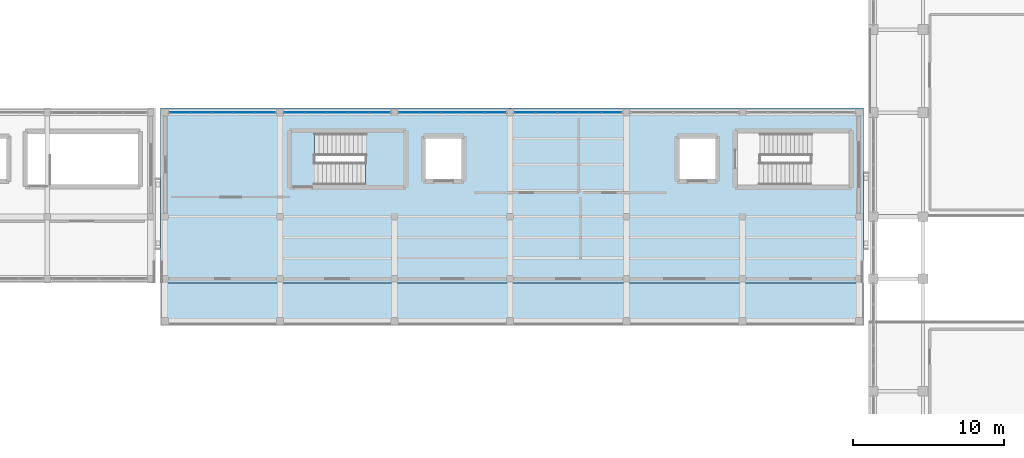
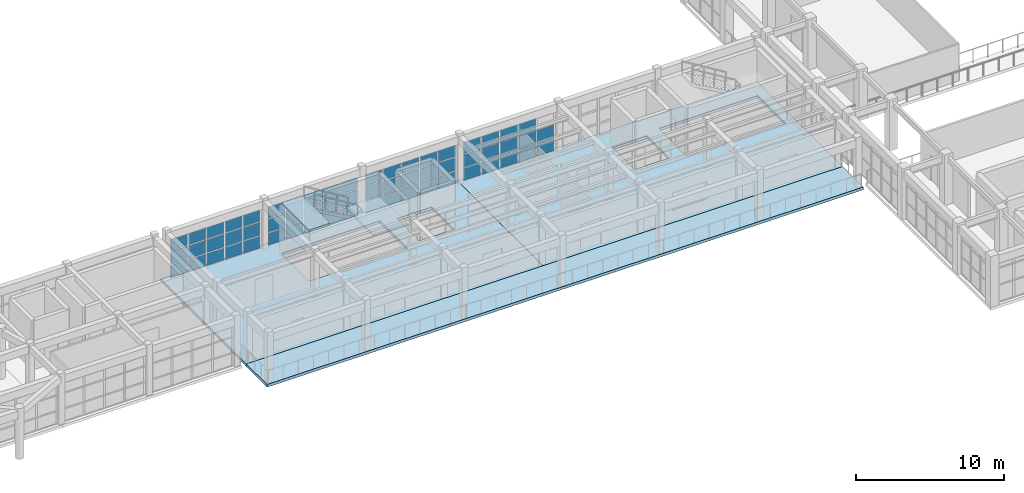
# One storey, part 40 of 66: 59 plates, 5 slabs, 5 elements without a shape of their own.
"""IFC4 building model written with IfcOpenShell, lengths in metres."""

from ifc_helpers import new_model, si_unit, direction, frame, origin, origin_2d, place, context, subcontext, project, spatial, polyline, rectangle, outline, extrude, material, layer, layer_set, type_object, element, aggregate, save


model = new_model("IFC4")

# Units and contexts
model_context = context("Model", 3, precision=1e-05, world=origin(), true_north=direction((0.0, 1.0)))
body_context = subcontext(model_context, "Body", "Model", "MODEL_VIEW")
ifc_project = project(units=[si_unit("LENGTHUNIT", "METRE"), si_unit("AREAUNIT", "SQUARE_METRE"), si_unit("VOLUMEUNIT", "CUBIC_METRE"), si_unit("PLANEANGLEUNIT", "RADIAN"), si_unit("MASSUNIT", "GRAM", prefix="KILO")], contexts=[model_context])

# Site, building, storey
site_placement = place(None, origin())
site = spatial("IfcSite", under=ifc_project, at=site_placement, CompositionType="ELEMENT")
building_placement = place(site_placement, origin())
building = spatial("IfcBuilding", under=site, at=building_placement, Name="Candilejo Ridge Gondola Terminal", CompositionType="ELEMENT")
storey_placement = place(building_placement, frame((0.0, 0.0, 14.39990234375)))
storey = spatial("IfcBuildingStorey", under=building, at=storey_placement, Name="L03", CompositionType="ELEMENT", Elevation=14.39990234375)

# Curtain wall, plates
ifc_material_1 = material(Name="Anodised aluminium AA 6063-T6", Category="aluminium")
ifc_layer_1 = layer(ifc_material_1, 0.169921875)
ifc_layer_set_1 = layer_set([ifc_layer_1], Name="ARC-CW-GALLERY-3200-710X329")
curtain_wall_type_1 = type_object("IfcCurtainWallType", Name="ARC-CW-GALLERY-3200-710X329", PredefinedType="NOTDEFINED", material=ifc_layer_set_1)
curtain_wall_1_placement = place(storey_placement, origin())
curtain_wall_1 = element("IfcCurtainWall", 1, at=curtain_wall_1_placement, inside=storey, type_object=curtain_wall_type_1, Name="Curtain wall V3 L03-094", PredefinedType="NOTDEFINED")
ifc_material_2 = material(Name="Low-E laminated double glazing 6+12A+6+1.52PVB+6 mm", Category="glass")
ifc_layer_2 = layer(ifc_material_2, 0.028076171875)
ifc_layer_set_2 = layer_set([ifc_layer_2], Name="ARC-CW-GLAZ-PANEL")
plate_type = type_object("IfcPlateType", Name="ARC-CW-GLAZ-PANEL", PredefinedType="CURTAIN_PANEL", material=ifc_layer_set_2)
plate_1_placement = place(storey_placement, frame((87.978759765625, 36.699951171875, 0.0751953125), z_axis=(0.0, 0.0, 1.0), x_axis=(1.0, 0.0, 0.0)))
plate_1 = element("IfcPlate", 2, at=plate_1_placement, type_object=plate_type, Name="CW-71X32 panel 1.1", PredefinedType="CURTAIN_PANEL", context=body_context, shape_type="SweptSolid", body=[
    extrude(rectangle(XDim=1.3076171875, YDim=0.028076171875, at=origin_2d()), origin(), (0.0, 0.0, 1.0), 0.987548828125),
])
plate_2_placement = place(storey_placement, frame((87.978759765625, 36.699951171875, 1.1376953125), z_axis=(0.0, 0.0, 1.0), x_axis=(1.0, 0.0, 0.0)))
plate_2 = element("IfcPlate", 3, at=plate_2_placement, type_object=plate_type, Name="CW-71X32 panel 1.2", PredefinedType="CURTAIN_PANEL", context=body_context, shape_type="SweptSolid", body=[
    extrude(rectangle(XDim=1.3076171875, YDim=0.028076171875, at=origin_2d()), origin(), (0.0, 0.0, 1.0), 1.074951171875),
])
plate_3_placement = place(storey_placement, frame((87.978759765625, 36.699951171875, 2.28759765625), z_axis=(0.0, 0.0, 1.0), x_axis=(1.0, 0.0, 0.0)))
plate_3 = element("IfcPlate", 4, at=plate_3_placement, type_object=plate_type, Name="CW-71X32 panel 1.3", PredefinedType="CURTAIN_PANEL", context=body_context, shape_type="SweptSolid", body=[
    extrude(rectangle(XDim=1.3076171875, YDim=0.028076171875, at=origin_2d()), origin(), (0.0, 0.0, 1.0), 0.927490234375),
])
plate_4_placement = place(storey_placement, frame((89.3798828125, 36.699951171875, 0.0751953125), z_axis=(0.0, 0.0, 1.0), x_axis=(1.0, 0.0, 0.0)))
plate_4 = element("IfcPlate", 5, at=plate_4_placement, type_object=plate_type, Name="CW-71X32 panel 2.1", PredefinedType="CURTAIN_PANEL", context=body_context, shape_type="SweptSolid", body=[
    extrude(rectangle(XDim=1.344970703125, YDim=0.028076171875, at=origin_2d()), origin(), (0.0, 0.0, 1.0), 0.987548828125),
])
plate_5_placement = place(storey_placement, frame((89.3798828125, 36.699951171875, 1.1376953125), z_axis=(0.0, 0.0, 1.0), x_axis=(1.0, 0.0, 0.0)))
plate_5 = element("IfcPlate", 6, at=plate_5_placement, type_object=plate_type, Name="CW-71X32 panel 2.2", PredefinedType="CURTAIN_PANEL", context=body_context, shape_type="SweptSolid", body=[
    extrude(rectangle(XDim=1.344970703125, YDim=0.028076171875, at=origin_2d()), origin(), (0.0, 0.0, 1.0), 1.074951171875),
])
plate_6_placement = place(storey_placement, frame((89.3798828125, 36.699951171875, 2.28759765625), z_axis=(0.0, 0.0, 1.0), x_axis=(1.0, 0.0, 0.0)))
plate_6 = element("IfcPlate", 7, at=plate_6_placement, type_object=plate_type, Name="CW-71X32 panel 2.3", PredefinedType="CURTAIN_PANEL", context=body_context, shape_type="SweptSolid", body=[
    extrude(rectangle(XDim=1.344970703125, YDim=0.028076171875, at=origin_2d()), origin(), (0.0, 0.0, 1.0), 0.927490234375),
])
plate_7_placement = place(storey_placement, frame((90.800048828125, 36.699951171875, 0.0751953125), z_axis=(0.0, 0.0, 1.0), x_axis=(1.0, 0.0, 0.0)))
plate_7 = element("IfcPlate", 8, at=plate_7_placement, type_object=plate_type, Name="CW-71X32 panel 3.1", PredefinedType="CURTAIN_PANEL", context=body_context, shape_type="SweptSolid", body=[
    extrude(rectangle(XDim=1.344970703125, YDim=0.028076171875, at=origin_2d()), origin(), (0.0, 0.0, 1.0), 0.987548828125),
])
plate_8_placement = place(storey_placement, frame((90.800048828125, 36.699951171875, 1.1376953125), z_axis=(0.0, 0.0, 1.0), x_axis=(1.0, 0.0, 0.0)))
plate_8 = element("IfcPlate", 9, at=plate_8_placement, type_object=plate_type, Name="CW-71X32 panel 3.2", PredefinedType="CURTAIN_PANEL", context=body_context, shape_type="SweptSolid", body=[
    extrude(rectangle(XDim=1.344970703125, YDim=0.028076171875, at=origin_2d()), origin(), (0.0, 0.0, 1.0), 1.074951171875),
])
plate_9_placement = place(storey_placement, frame((90.800048828125, 36.699951171875, 2.28759765625), z_axis=(0.0, 0.0, 1.0), x_axis=(1.0, 0.0, 0.0)))
plate_9 = element("IfcPlate", 10, at=plate_9_placement, type_object=plate_type, Name="CW-71X32 panel 3.3", PredefinedType="CURTAIN_PANEL", context=body_context, shape_type="SweptSolid", body=[
    extrude(rectangle(XDim=1.344970703125, YDim=0.028076171875, at=origin_2d()), origin(), (0.0, 0.0, 1.0), 0.927490234375),
])
plate_10_placement = place(storey_placement, frame((92.219970703125, 36.699951171875, 0.0751953125), z_axis=(0.0, 0.0, 1.0), x_axis=(1.0, 0.0, 0.0)))
plate_10 = element("IfcPlate", 11, at=plate_10_placement, type_object=plate_type, Name="CW-71X32 panel 4.1", PredefinedType="CURTAIN_PANEL", context=body_context, shape_type="SweptSolid", body=[
    extrude(rectangle(XDim=1.344970703125, YDim=0.028076171875, at=origin_2d()), origin(), (0.0, 0.0, 1.0), 0.987548828125),
])
plate_11_placement = place(storey_placement, frame((92.219970703125, 36.699951171875, 1.1376953125), z_axis=(0.0, 0.0, 1.0), x_axis=(1.0, 0.0, 0.0)))
plate_11 = element("IfcPlate", 12, at=plate_11_placement, type_object=plate_type, Name="CW-71X32 panel 4.2", PredefinedType="CURTAIN_PANEL", context=body_context, shape_type="SweptSolid", body=[
    extrude(rectangle(XDim=1.344970703125, YDim=0.028076171875, at=origin_2d()), origin(), (0.0, 0.0, 1.0), 1.074951171875),
])
plate_12_placement = place(storey_placement, frame((92.219970703125, 36.699951171875, 2.28759765625), z_axis=(0.0, 0.0, 1.0), x_axis=(1.0, 0.0, 0.0)))
plate_12 = element("IfcPlate", 13, at=plate_12_placement, type_object=plate_type, Name="CW-71X32 panel 4.3", PredefinedType="CURTAIN_PANEL", context=body_context, shape_type="SweptSolid", body=[
    extrude(rectangle(XDim=1.344970703125, YDim=0.028076171875, at=origin_2d()), origin(), (0.0, 0.0, 1.0), 0.927490234375),
])
plate_13_placement = place(storey_placement, frame((93.621337890625, 36.699951171875, 0.0751953125), z_axis=(0.0, 0.0, 1.0), x_axis=(1.0, 0.0, 0.0)))
plate_13 = element("IfcPlate", 14, at=plate_13_placement, type_object=plate_type, Name="CW-71X32 panel 5.1", PredefinedType="CURTAIN_PANEL", context=body_context, shape_type="SweptSolid", body=[
    extrude(rectangle(XDim=1.3076171875, YDim=0.028076171875, at=origin_2d()), origin(), (0.0, 0.0, 1.0), 0.987548828125),
])
plate_14_placement = place(storey_placement, frame((93.621337890625, 36.699951171875, 1.1376953125), z_axis=(0.0, 0.0, 1.0), x_axis=(1.0, 0.0, 0.0)))
plate_14 = element("IfcPlate", 15, at=plate_14_placement, type_object=plate_type, Name="CW-71X32 panel 5.2", PredefinedType="CURTAIN_PANEL", context=body_context, shape_type="SweptSolid", body=[
    extrude(rectangle(XDim=1.3076171875, YDim=0.028076171875, at=origin_2d()), origin(), (0.0, 0.0, 1.0), 1.074951171875),
])
plate_15_placement = place(storey_placement, frame((93.621337890625, 36.699951171875, 2.28759765625), z_axis=(0.0, 0.0, 1.0), x_axis=(1.0, 0.0, 0.0)))
plate_15 = element("IfcPlate", 16, at=plate_15_placement, type_object=plate_type, Name="CW-71X32 panel 5.3", PredefinedType="CURTAIN_PANEL", context=body_context, shape_type="SweptSolid", body=[
    extrude(rectangle(XDim=1.3076171875, YDim=0.028076171875, at=origin_2d()), origin(), (0.0, 0.0, 1.0), 0.927490234375),
])
aggregate(curtain_wall_1, [plate_1, plate_2, plate_3, plate_4, plate_5, plate_6, plate_7, plate_8, plate_9, plate_10, plate_11, plate_12, plate_13, plate_14, plate_15])

curtain_wall_2_placement = place(storey_placement, origin())
curtain_wall_2 = element("IfcCurtainWall", 17, at=curtain_wall_2_placement, inside=storey, type_object=curtain_wall_type_1, Name="Curtain wall V3 L03-095", PredefinedType="NOTDEFINED")
plate_16_placement = place(storey_placement, frame((95.578857421875, 36.699951171875, 0.0751953125), z_axis=(0.0, 0.0, 1.0), x_axis=(1.0, 0.0, 0.0)))
plate_16 = element("IfcPlate", 18, at=plate_16_placement, type_object=plate_type, Name="CW-71X32 panel 1.1", PredefinedType="CURTAIN_PANEL", context=body_context, shape_type="SweptSolid", body=[
    extrude(rectangle(XDim=1.3076171875, YDim=0.028076171875, at=origin_2d()), origin(), (0.0, 0.0, 1.0), 0.987548828125),
])
plate_17_placement = place(storey_placement, frame((95.578857421875, 36.699951171875, 1.1376953125), z_axis=(0.0, 0.0, 1.0), x_axis=(1.0, 0.0, 0.0)))
plate_17 = element("IfcPlate", 19, at=plate_17_placement, type_object=plate_type, Name="CW-71X32 panel 1.2", PredefinedType="CURTAIN_PANEL", context=body_context, shape_type="SweptSolid", body=[
    extrude(rectangle(XDim=1.3076171875, YDim=0.028076171875, at=origin_2d()), origin(), (0.0, 0.0, 1.0), 1.074951171875),
])
plate_18_placement = place(storey_placement, frame((95.578857421875, 36.699951171875, 2.28759765625), z_axis=(0.0, 0.0, 1.0), x_axis=(1.0, 0.0, 0.0)))
plate_18 = element("IfcPlate", 20, at=plate_18_placement, type_object=plate_type, Name="CW-71X32 panel 1.3", PredefinedType="CURTAIN_PANEL", context=body_context, shape_type="SweptSolid", body=[
    extrude(rectangle(XDim=1.3076171875, YDim=0.028076171875, at=origin_2d()), origin(), (0.0, 0.0, 1.0), 0.927490234375),
])
plate_19_placement = place(storey_placement, frame((96.97998046875, 36.699951171875, 0.0751953125), z_axis=(0.0, 0.0, 1.0), x_axis=(1.0, 0.0, 0.0)))
plate_19 = element("IfcPlate", 21, at=plate_19_placement, type_object=plate_type, Name="CW-71X32 panel 2.1", PredefinedType="CURTAIN_PANEL", context=body_context, shape_type="SweptSolid", body=[
    extrude(rectangle(XDim=1.344970703125, YDim=0.028076171875, at=origin_2d()), origin(), (0.0, 0.0, 1.0), 0.987548828125),
])
plate_20_placement = place(storey_placement, frame((96.97998046875, 36.699951171875, 1.1376953125), z_axis=(0.0, 0.0, 1.0), x_axis=(1.0, 0.0, 0.0)))
plate_20 = element("IfcPlate", 22, at=plate_20_placement, type_object=plate_type, Name="CW-71X32 panel 2.2", PredefinedType="CURTAIN_PANEL", context=body_context, shape_type="SweptSolid", body=[
    extrude(rectangle(XDim=1.344970703125, YDim=0.028076171875, at=origin_2d()), origin(), (0.0, 0.0, 1.0), 1.074951171875),
])
plate_21_placement = place(storey_placement, frame((96.97998046875, 36.699951171875, 2.28759765625), z_axis=(0.0, 0.0, 1.0), x_axis=(1.0, 0.0, 0.0)))
plate_21 = element("IfcPlate", 23, at=plate_21_placement, type_object=plate_type, Name="CW-71X32 panel 2.3", PredefinedType="CURTAIN_PANEL", context=body_context, shape_type="SweptSolid", body=[
    extrude(rectangle(XDim=1.344970703125, YDim=0.028076171875, at=origin_2d()), origin(), (0.0, 0.0, 1.0), 0.927490234375),
])
plate_22_placement = place(storey_placement, frame((98.39990234375, 36.699951171875, 0.0751953125), z_axis=(0.0, 0.0, 1.0), x_axis=(1.0, 0.0, 0.0)))
plate_22 = element("IfcPlate", 24, at=plate_22_placement, type_object=plate_type, Name="CW-71X32 panel 3.1", PredefinedType="CURTAIN_PANEL", context=body_context, shape_type="SweptSolid", body=[
    extrude(rectangle(XDim=1.344970703125, YDim=0.028076171875, at=origin_2d()), origin(), (0.0, 0.0, 1.0), 0.987548828125),
])
plate_23_placement = place(storey_placement, frame((98.39990234375, 36.699951171875, 1.1376953125), z_axis=(0.0, 0.0, 1.0), x_axis=(1.0, 0.0, 0.0)))
plate_23 = element("IfcPlate", 25, at=plate_23_placement, type_object=plate_type, Name="CW-71X32 panel 3.2", PredefinedType="CURTAIN_PANEL", context=body_context, shape_type="SweptSolid", body=[
    extrude(rectangle(XDim=1.344970703125, YDim=0.028076171875, at=origin_2d()), origin(), (0.0, 0.0, 1.0), 1.074951171875),
])
plate_24_placement = place(storey_placement, frame((98.39990234375, 36.699951171875, 2.28759765625), z_axis=(0.0, 0.0, 1.0), x_axis=(1.0, 0.0, 0.0)))
plate_24 = element("IfcPlate", 26, at=plate_24_placement, type_object=plate_type, Name="CW-71X32 panel 3.3", PredefinedType="CURTAIN_PANEL", context=body_context, shape_type="SweptSolid", body=[
    extrude(rectangle(XDim=1.344970703125, YDim=0.028076171875, at=origin_2d()), origin(), (0.0, 0.0, 1.0), 0.927490234375),
])
plate_25_placement = place(storey_placement, frame((99.820068359375, 36.699951171875, 0.0751953125), z_axis=(0.0, 0.0, 1.0), x_axis=(1.0, 0.0, 0.0)))
plate_25 = element("IfcPlate", 27, at=plate_25_placement, type_object=plate_type, Name="CW-71X32 panel 4.1", PredefinedType="CURTAIN_PANEL", context=body_context, shape_type="SweptSolid", body=[
    extrude(rectangle(XDim=1.344970703125, YDim=0.028076171875, at=origin_2d()), origin(), (0.0, 0.0, 1.0), 0.987548828125),
])
plate_26_placement = place(storey_placement, frame((99.820068359375, 36.699951171875, 1.1376953125), z_axis=(0.0, 0.0, 1.0), x_axis=(1.0, 0.0, 0.0)))
plate_26 = element("IfcPlate", 28, at=plate_26_placement, type_object=plate_type, Name="CW-71X32 panel 4.2", PredefinedType="CURTAIN_PANEL", context=body_context, shape_type="SweptSolid", body=[
    extrude(rectangle(XDim=1.344970703125, YDim=0.028076171875, at=origin_2d()), origin(), (0.0, 0.0, 1.0), 1.074951171875),
])
plate_27_placement = place(storey_placement, frame((99.820068359375, 36.699951171875, 2.28759765625), z_axis=(0.0, 0.0, 1.0), x_axis=(1.0, 0.0, 0.0)))
plate_27 = element("IfcPlate", 29, at=plate_27_placement, type_object=plate_type, Name="CW-71X32 panel 4.3", PredefinedType="CURTAIN_PANEL", context=body_context, shape_type="SweptSolid", body=[
    extrude(rectangle(XDim=1.344970703125, YDim=0.028076171875, at=origin_2d()), origin(), (0.0, 0.0, 1.0), 0.927490234375),
])
plate_28_placement = place(storey_placement, frame((101.22119140625, 36.699951171875, 0.0751953125), z_axis=(0.0, 0.0, 1.0), x_axis=(1.0, 0.0, 0.0)))
plate_28 = element("IfcPlate", 30, at=plate_28_placement, type_object=plate_type, Name="CW-71X32 panel 5.1", PredefinedType="CURTAIN_PANEL", context=body_context, shape_type="SweptSolid", body=[
    extrude(rectangle(XDim=1.3076171875, YDim=0.028076171875, at=origin_2d()), origin(), (0.0, 0.0, 1.0), 0.987548828125),
])
plate_29_placement = place(storey_placement, frame((101.22119140625, 36.699951171875, 1.1376953125), z_axis=(0.0, 0.0, 1.0), x_axis=(1.0, 0.0, 0.0)))
plate_29 = element("IfcPlate", 31, at=plate_29_placement, type_object=plate_type, Name="CW-71X32 panel 5.2", PredefinedType="CURTAIN_PANEL", context=body_context, shape_type="SweptSolid", body=[
    extrude(rectangle(XDim=1.3076171875, YDim=0.028076171875, at=origin_2d()), origin(), (0.0, 0.0, 1.0), 1.074951171875),
])
plate_30_placement = place(storey_placement, frame((101.22119140625, 36.699951171875, 2.28759765625), z_axis=(0.0, 0.0, 1.0), x_axis=(1.0, 0.0, 0.0)))
plate_30 = element("IfcPlate", 32, at=plate_30_placement, type_object=plate_type, Name="CW-71X32 panel 5.3", PredefinedType="CURTAIN_PANEL", context=body_context, shape_type="SweptSolid", body=[
    extrude(rectangle(XDim=1.3076171875, YDim=0.028076171875, at=origin_2d()), origin(), (0.0, 0.0, 1.0), 0.927490234375),
])
aggregate(curtain_wall_2, [plate_16, plate_17, plate_18, plate_19, plate_20, plate_21, plate_22, plate_23, plate_24, plate_25, plate_26, plate_27, plate_28, plate_29, plate_30])

ifc_material_3 = material(Name="Anodised aluminium AA 6063-T6", Category="aluminium")
ifc_layer_3 = layer(ifc_material_3, 0.169921875)
ifc_layer_set_3 = layer_set([ifc_layer_3], Name="ARC-CW-GALLERY-3200-715X329")
curtain_wall_type_2 = type_object("IfcCurtainWallType", Name="ARC-CW-GALLERY-3200-715X329", PredefinedType="NOTDEFINED", material=ifc_layer_set_3)
curtain_wall_3_placement = place(storey_placement, origin())
curtain_wall_3 = element("IfcCurtainWall", 33, at=curtain_wall_3_placement, inside=storey, type_object=curtain_wall_type_2, Name="Curtain wall V3 L03-096", PredefinedType="NOTDEFINED")
plate_31_placement = place(storey_placement, frame((103.183837890625, 36.699951171875, 0.0751953125), z_axis=(0.0, 0.0, 1.0), x_axis=(1.0, 0.0, 0.0)))
plate_31 = element("IfcPlate", 34, at=plate_31_placement, type_object=plate_type, Name="CW-71X32 panel 1.1", PredefinedType="CURTAIN_PANEL", context=body_context, shape_type="SweptSolid", body=[
    extrude(rectangle(XDim=1.3173828125, YDim=0.028076171875, at=origin_2d()), origin(), (0.0, 0.0, 1.0), 0.987548828125),
])
plate_32_placement = place(storey_placement, frame((103.183837890625, 36.699951171875, 1.1376953125), z_axis=(0.0, 0.0, 1.0), x_axis=(1.0, 0.0, 0.0)))
plate_32 = element("IfcPlate", 35, at=plate_32_placement, type_object=plate_type, Name="CW-71X32 panel 1.2", PredefinedType="CURTAIN_PANEL", context=body_context, shape_type="SweptSolid", body=[
    extrude(rectangle(XDim=1.3173828125, YDim=0.028076171875, at=origin_2d()), origin(), (0.0, 0.0, 1.0), 1.074951171875),
])
plate_33_placement = place(storey_placement, frame((103.183837890625, 36.699951171875, 2.28759765625), z_axis=(0.0, 0.0, 1.0), x_axis=(1.0, 0.0, 0.0)))
plate_33 = element("IfcPlate", 36, at=plate_33_placement, type_object=plate_type, Name="CW-71X32 panel 1.3", PredefinedType="CURTAIN_PANEL", context=body_context, shape_type="SweptSolid", body=[
    extrude(rectangle(XDim=1.3173828125, YDim=0.028076171875, at=origin_2d()), origin(), (0.0, 0.0, 1.0), 0.927490234375),
])
plate_34_placement = place(storey_placement, frame((104.594970703125, 36.699951171875, 0.0751953125), z_axis=(0.0, 0.0, 1.0), x_axis=(1.0, 0.0, 0.0)))
plate_34 = element("IfcPlate", 37, at=plate_34_placement, type_object=plate_type, Name="CW-71X32 panel 2.1", PredefinedType="CURTAIN_PANEL", context=body_context, shape_type="SweptSolid", body=[
    extrude(rectangle(XDim=1.35498046875, YDim=0.028076171875, at=origin_2d()), origin(), (0.0, 0.0, 1.0), 0.987548828125),
])
plate_35_placement = place(storey_placement, frame((104.594970703125, 36.699951171875, 1.1376953125), z_axis=(0.0, 0.0, 1.0), x_axis=(1.0, 0.0, 0.0)))
plate_35 = element("IfcPlate", 38, at=plate_35_placement, type_object=plate_type, Name="CW-71X32 panel 2.2", PredefinedType="CURTAIN_PANEL", context=body_context, shape_type="SweptSolid", body=[
    extrude(rectangle(XDim=1.35498046875, YDim=0.028076171875, at=origin_2d()), origin(), (0.0, 0.0, 1.0), 1.074951171875),
])
plate_36_placement = place(storey_placement, frame((104.594970703125, 36.699951171875, 2.28759765625), z_axis=(0.0, 0.0, 1.0), x_axis=(1.0, 0.0, 0.0)))
plate_36 = element("IfcPlate", 39, at=plate_36_placement, type_object=plate_type, Name="CW-71X32 panel 2.3", PredefinedType="CURTAIN_PANEL", context=body_context, shape_type="SweptSolid", body=[
    extrude(rectangle(XDim=1.35498046875, YDim=0.028076171875, at=origin_2d()), origin(), (0.0, 0.0, 1.0), 0.927490234375),
])
plate_37_placement = place(storey_placement, frame((106.02490234375, 36.699951171875, 0.0751953125), z_axis=(0.0, 0.0, 1.0), x_axis=(1.0, 0.0, 0.0)))
plate_37 = element("IfcPlate", 40, at=plate_37_placement, type_object=plate_type, Name="CW-71X32 panel 3.1", PredefinedType="CURTAIN_PANEL", context=body_context, shape_type="SweptSolid", body=[
    extrude(rectangle(XDim=1.35498046875, YDim=0.028076171875, at=origin_2d()), origin(), (0.0, 0.0, 1.0), 0.987548828125),
])
plate_38_placement = place(storey_placement, frame((106.02490234375, 36.699951171875, 1.1376953125), z_axis=(0.0, 0.0, 1.0), x_axis=(1.0, 0.0, 0.0)))
plate_38 = element("IfcPlate", 41, at=plate_38_placement, type_object=plate_type, Name="CW-71X32 panel 3.2", PredefinedType="CURTAIN_PANEL", context=body_context, shape_type="SweptSolid", body=[
    extrude(rectangle(XDim=1.35498046875, YDim=0.028076171875, at=origin_2d()), origin(), (0.0, 0.0, 1.0), 1.074951171875),
])
plate_39_placement = place(storey_placement, frame((106.02490234375, 36.699951171875, 2.28759765625), z_axis=(0.0, 0.0, 1.0), x_axis=(1.0, 0.0, 0.0)))
plate_39 = element("IfcPlate", 42, at=plate_39_placement, type_object=plate_type, Name="CW-71X32 panel 3.3", PredefinedType="CURTAIN_PANEL", context=body_context, shape_type="SweptSolid", body=[
    extrude(rectangle(XDim=1.35498046875, YDim=0.028076171875, at=origin_2d()), origin(), (0.0, 0.0, 1.0), 0.927490234375),
])
plate_40_placement = place(storey_placement, frame((107.455078125, 36.699951171875, 0.0751953125), z_axis=(0.0, 0.0, 1.0), x_axis=(1.0, 0.0, 0.0)))
plate_40 = element("IfcPlate", 43, at=plate_40_placement, type_object=plate_type, Name="CW-71X32 panel 4.1", PredefinedType="CURTAIN_PANEL", context=body_context, shape_type="SweptSolid", body=[
    extrude(rectangle(XDim=1.35498046875, YDim=0.028076171875, at=origin_2d()), origin(), (0.0, 0.0, 1.0), 0.987548828125),
])
plate_41_placement = place(storey_placement, frame((107.455078125, 36.699951171875, 1.1376953125), z_axis=(0.0, 0.0, 1.0), x_axis=(1.0, 0.0, 0.0)))
plate_41 = element("IfcPlate", 44, at=plate_41_placement, type_object=plate_type, Name="CW-71X32 panel 4.2", PredefinedType="CURTAIN_PANEL", context=body_context, shape_type="SweptSolid", body=[
    extrude(rectangle(XDim=1.35498046875, YDim=0.028076171875, at=origin_2d()), origin(), (0.0, 0.0, 1.0), 1.074951171875),
])
plate_42_placement = place(storey_placement, frame((107.455078125, 36.699951171875, 2.28759765625), z_axis=(0.0, 0.0, 1.0), x_axis=(1.0, 0.0, 0.0)))
plate_42 = element("IfcPlate", 45, at=plate_42_placement, type_object=plate_type, Name="CW-71X32 panel 4.3", PredefinedType="CURTAIN_PANEL", context=body_context, shape_type="SweptSolid", body=[
    extrude(rectangle(XDim=1.35498046875, YDim=0.028076171875, at=origin_2d()), origin(), (0.0, 0.0, 1.0), 0.927490234375),
])
plate_43_placement = place(storey_placement, frame((108.8662109375, 36.699951171875, 0.0751953125), z_axis=(0.0, 0.0, 1.0), x_axis=(1.0, 0.0, 0.0)))
plate_43 = element("IfcPlate", 46, at=plate_43_placement, type_object=plate_type, Name="CW-71X32 panel 5.1", PredefinedType="CURTAIN_PANEL", context=body_context, shape_type="SweptSolid", body=[
    extrude(rectangle(XDim=1.3173828125, YDim=0.028076171875, at=origin_2d()), origin(), (0.0, 0.0, 1.0), 0.987548828125),
])
plate_44_placement = place(storey_placement, frame((108.8662109375, 36.699951171875, 1.1376953125), z_axis=(0.0, 0.0, 1.0), x_axis=(1.0, 0.0, 0.0)))
plate_44 = element("IfcPlate", 47, at=plate_44_placement, type_object=plate_type, Name="CW-71X32 panel 5.2", PredefinedType="CURTAIN_PANEL", context=body_context, shape_type="SweptSolid", body=[
    extrude(rectangle(XDim=1.3173828125, YDim=0.028076171875, at=origin_2d()), origin(), (0.0, 0.0, 1.0), 1.074951171875),
])
plate_45_placement = place(storey_placement, frame((108.8662109375, 36.699951171875, 2.28759765625), z_axis=(0.0, 0.0, 1.0), x_axis=(1.0, 0.0, 0.0)))
plate_45 = element("IfcPlate", 48, at=plate_45_placement, type_object=plate_type, Name="CW-71X32 panel 5.3", PredefinedType="CURTAIN_PANEL", context=body_context, shape_type="SweptSolid", body=[
    extrude(rectangle(XDim=1.3173828125, YDim=0.028076171875, at=origin_2d()), origin(), (0.0, 0.0, 1.0), 0.927490234375),
])
aggregate(curtain_wall_3, [plate_31, plate_32, plate_33, plate_34, plate_35, plate_36, plate_37, plate_38, plate_39, plate_40, plate_41, plate_42, plate_43, plate_44, plate_45])

ifc_material_4 = material(Name="Anodised aluminium AA 6063-T6", Category="aluminium")
ifc_layer_4 = layer(ifc_material_4, 0.169921875)
ifc_layer_set_4 = layer_set([ifc_layer_4], Name="ARC-CW-GALLERY-3200-720X329")
curtain_wall_type_3 = type_object("IfcCurtainWallType", Name="ARC-CW-GALLERY-3200-720X329", PredefinedType="NOTDEFINED", material=ifc_layer_set_4)
curtain_wall_4_placement = place(storey_placement, origin())
curtain_wall_4 = element("IfcCurtainWall", 49, at=curtain_wall_4_placement, inside=storey, type_object=curtain_wall_type_3, Name="Curtain wall V3 L03-097", PredefinedType="NOTDEFINED")
plate_46_placement = place(storey_placement, frame((110.8388671875, 36.699951171875, 0.0751953125), z_axis=(0.0, 0.0, 1.0), x_axis=(1.0, 0.0, 0.0)))
plate_46 = element("IfcPlate", 50, at=plate_46_placement, type_object=plate_type, Name="CW-72X32 panel 1.1", PredefinedType="CURTAIN_PANEL", context=body_context, shape_type="SweptSolid", body=[
    extrude(rectangle(XDim=1.327392578125, YDim=0.028076171875, at=origin_2d()), origin(), (0.0, 0.0, 1.0), 0.987548828125),
])
plate_47_placement = place(storey_placement, frame((110.8388671875, 36.699951171875, 1.1376953125), z_axis=(0.0, 0.0, 1.0), x_axis=(1.0, 0.0, 0.0)))
plate_47 = element("IfcPlate", 51, at=plate_47_placement, type_object=plate_type, Name="CW-72X32 panel 1.2", PredefinedType="CURTAIN_PANEL", context=body_context, shape_type="SweptSolid", body=[
    extrude(rectangle(XDim=1.327392578125, YDim=0.028076171875, at=origin_2d()), origin(), (0.0, 0.0, 1.0), 1.074951171875),
])
plate_48_placement = place(storey_placement, frame((110.8388671875, 36.699951171875, 2.28759765625), z_axis=(0.0, 0.0, 1.0), x_axis=(1.0, 0.0, 0.0)))
plate_48 = element("IfcPlate", 52, at=plate_48_placement, type_object=plate_type, Name="CW-72X32 panel 1.3", PredefinedType="CURTAIN_PANEL", context=body_context, shape_type="SweptSolid", body=[
    extrude(rectangle(XDim=1.327392578125, YDim=0.028076171875, at=origin_2d()), origin(), (0.0, 0.0, 1.0), 0.927490234375),
])
plate_49_placement = place(storey_placement, frame((112.260009765625, 36.699951171875, 0.0751953125), z_axis=(0.0, 0.0, 1.0), x_axis=(1.0, 0.0, 0.0)))
plate_49 = element("IfcPlate", 53, at=plate_49_placement, type_object=plate_type, Name="CW-72X32 panel 2.1", PredefinedType="CURTAIN_PANEL", context=body_context, shape_type="SweptSolid", body=[
    extrude(rectangle(XDim=1.364990234375, YDim=0.028076171875, at=origin_2d()), origin(), (0.0, 0.0, 1.0), 0.987548828125),
])
plate_50_placement = place(storey_placement, frame((112.260009765625, 36.699951171875, 1.1376953125), z_axis=(0.0, 0.0, 1.0), x_axis=(1.0, 0.0, 0.0)))
plate_50 = element("IfcPlate", 54, at=plate_50_placement, type_object=plate_type, Name="CW-72X32 panel 2.2", PredefinedType="CURTAIN_PANEL", context=body_context, shape_type="SweptSolid", body=[
    extrude(rectangle(XDim=1.364990234375, YDim=0.028076171875, at=origin_2d()), origin(), (0.0, 0.0, 1.0), 1.074951171875),
])
plate_51_placement = place(storey_placement, frame((112.260009765625, 36.699951171875, 2.28759765625), z_axis=(0.0, 0.0, 1.0), x_axis=(1.0, 0.0, 0.0)))
plate_51 = element("IfcPlate", 55, at=plate_51_placement, type_object=plate_type, Name="CW-72X32 panel 2.3", PredefinedType="CURTAIN_PANEL", context=body_context, shape_type="SweptSolid", body=[
    extrude(rectangle(XDim=1.364990234375, YDim=0.028076171875, at=origin_2d()), origin(), (0.0, 0.0, 1.0), 0.927490234375),
])
plate_52_placement = place(storey_placement, frame((113.699951171875, 36.699951171875, 0.0751953125), z_axis=(0.0, 0.0, 1.0), x_axis=(1.0, 0.0, 0.0)))
plate_52 = element("IfcPlate", 56, at=plate_52_placement, type_object=plate_type, Name="CW-72X32 panel 3.1", PredefinedType="CURTAIN_PANEL", context=body_context, shape_type="SweptSolid", body=[
    extrude(rectangle(XDim=1.364990234375, YDim=0.028076171875, at=origin_2d()), origin(), (0.0, 0.0, 1.0), 0.987548828125),
])
plate_53_placement = place(storey_placement, frame((113.699951171875, 36.699951171875, 1.1376953125), z_axis=(0.0, 0.0, 1.0), x_axis=(1.0, 0.0, 0.0)))
plate_53 = element("IfcPlate", 57, at=plate_53_placement, type_object=plate_type, Name="CW-72X32 panel 3.2", PredefinedType="CURTAIN_PANEL", context=body_context, shape_type="SweptSolid", body=[
    extrude(rectangle(XDim=1.364990234375, YDim=0.028076171875, at=origin_2d()), origin(), (0.0, 0.0, 1.0), 1.074951171875),
])
plate_54_placement = place(storey_placement, frame((113.699951171875, 36.699951171875, 2.28759765625), z_axis=(0.0, 0.0, 1.0), x_axis=(1.0, 0.0, 0.0)))
plate_54 = element("IfcPlate", 58, at=plate_54_placement, type_object=plate_type, Name="CW-72X32 panel 3.3", PredefinedType="CURTAIN_PANEL", context=body_context, shape_type="SweptSolid", body=[
    extrude(rectangle(XDim=1.364990234375, YDim=0.028076171875, at=origin_2d()), origin(), (0.0, 0.0, 1.0), 0.927490234375),
])
plate_55_placement = place(storey_placement, frame((115.139892578125, 36.699951171875, 0.0751953125), z_axis=(0.0, 0.0, 1.0), x_axis=(1.0, 0.0, 0.0)))
plate_55 = element("IfcPlate", 59, at=plate_55_placement, type_object=plate_type, Name="CW-72X32 panel 4.1", PredefinedType="CURTAIN_PANEL", context=body_context, shape_type="SweptSolid", body=[
    extrude(rectangle(XDim=1.364990234375, YDim=0.028076171875, at=origin_2d()), origin(), (0.0, 0.0, 1.0), 0.987548828125),
])
plate_56_placement = place(storey_placement, frame((115.139892578125, 36.699951171875, 1.1376953125), z_axis=(0.0, 0.0, 1.0), x_axis=(1.0, 0.0, 0.0)))
plate_56 = element("IfcPlate", 60, at=plate_56_placement, type_object=plate_type, Name="CW-72X32 panel 4.2", PredefinedType="CURTAIN_PANEL", context=body_context, shape_type="SweptSolid", body=[
    extrude(rectangle(XDim=1.364990234375, YDim=0.028076171875, at=origin_2d()), origin(), (0.0, 0.0, 1.0), 1.074951171875),
])
plate_57_placement = place(storey_placement, frame((115.139892578125, 36.699951171875, 2.28759765625), z_axis=(0.0, 0.0, 1.0), x_axis=(1.0, 0.0, 0.0)))
plate_57 = element("IfcPlate", 61, at=plate_57_placement, type_object=plate_type, Name="CW-72X32 panel 4.3", PredefinedType="CURTAIN_PANEL", context=body_context, shape_type="SweptSolid", body=[
    extrude(rectangle(XDim=1.364990234375, YDim=0.028076171875, at=origin_2d()), origin(), (0.0, 0.0, 1.0), 0.927490234375),
])
plate_58_placement = place(storey_placement, frame((116.561279296875, 36.699951171875, 0.0751953125), z_axis=(0.0, 0.0, 1.0), x_axis=(1.0, 0.0, 0.0)))
plate_58 = element("IfcPlate", 62, at=plate_58_placement, type_object=plate_type, Name="CW-72X32 panel 5.1", PredefinedType="CURTAIN_PANEL", context=body_context, shape_type="SweptSolid", body=[
    extrude(rectangle(XDim=1.327392578125, YDim=0.028076171875, at=origin_2d()), origin(), (0.0, 0.0, 1.0), 0.987548828125),
])
plate_59_placement = place(storey_placement, frame((116.561279296875, 36.699951171875, 1.1376953125), z_axis=(0.0, 0.0, 1.0), x_axis=(1.0, 0.0, 0.0)))
plate_59 = element("IfcPlate", 63, at=plate_59_placement, type_object=plate_type, Name="CW-72X32 panel 5.2", PredefinedType="CURTAIN_PANEL", context=body_context, shape_type="SweptSolid", body=[
    extrude(rectangle(XDim=1.327392578125, YDim=0.028076171875, at=origin_2d()), origin(), (0.0, 0.0, 1.0), 1.074951171875),
])
aggregate(curtain_wall_4, [plate_46, plate_47, plate_48, plate_49, plate_50, plate_51, plate_52, plate_53, plate_54, plate_55, plate_56, plate_57, plate_58, plate_59])

# Slabs
ifc_material_5 = material(Name="Concrete f'c 35 MPa (C35/45)", Category="concrete")
ifc_layer_5 = layer(ifc_material_5, 0.22509765625)
ifc_layer_set_5 = layer_set([ifc_layer_5], Name="STR-FLOOR-SLAB-225")
slab_type_1 = type_object("IfcSlabType", Name="STR-FLOOR-SLAB-225", PredefinedType="FLOOR", material=ifc_layer_set_5)
slab_1_placement = place(storey_placement, frame((0.0, 0.0, -0.224853515625)))
element("IfcSlab", 64, at=slab_1_placement, inside=storey, type_object=slab_type_1, Name="Slab SLB-V3-L03-W", PredefinedType="FLOOR", context=body_context, shape_type="SweptSolid", body=[
    extrude(outline(polyline([(86.699951171875, 25.39990234375), (109.85009765625, 25.39990234375), (109.85009765625, 37.0), (86.699951171875, 37.0), (86.699951171875, 25.39990234375)]), holes=[polyline([(95.25, 31.75), (102.949951171875, 31.75), (102.949951171875, 35.5), (95.25, 35.5), (95.25, 31.75)]), polyline([(104.10009765625, 32.14990234375), (106.800048828125, 32.14990234375), (106.800048828125, 35.14990234375), (104.10009765625, 35.14990234375), (104.10009765625, 32.14990234375)])]), origin(), (0.0, 0.0, 1.0), 0.224853515625),
])
slab_2_placement = place(storey_placement, frame((0.0, 0.0, -0.224853515625)))
element("IfcSlab", 65, at=slab_2_placement, inside=storey, type_object=slab_type_1, Name="Slab SLB-V3-L03-E", PredefinedType="FLOOR", context=body_context, shape_type="SweptSolid", body=[
    extrude(outline(polyline([(109.85009765625, 25.39990234375), (133.25, 25.39990234375), (133.25, 37.0), (109.85009765625, 37.0), (109.85009765625, 25.39990234375)]), holes=[polyline([(124.75, 31.75), (132.449951171875, 31.75), (132.449951171875, 35.5), (124.75, 35.5), (124.75, 31.75)]), polyline([(120.89990234375, 32.14990234375), (123.60009765625, 32.14990234375), (123.60009765625, 35.14990234375), (120.89990234375, 35.14990234375), (120.89990234375, 32.14990234375)])]), origin(), (0.0, 0.0, 1.0), 0.224853515625),
])

# Stair, slabs
ifc_material_6 = material(Name="Concrete f'c 35 MPa (C35/45)", Category="concrete")
stair_type = type_object("IfcStairType", Name="STR-STAIR-1450-4200", PredefinedType="HALF_TURN_STAIR", material=ifc_material_6)
stair_placement = place(storey_placement, origin())
stair = element("IfcStair", 66, at=stair_placement, inside=storey, type_object=stair_type, Name="Enclosed fire exit stair ST-V3A-L03", PredefinedType="HALF_TURN_STAIR")
ifc_material_7 = material(Name="Concrete f'c 35 MPa (C35/45)", Category="concrete")
ifc_layer_6 = layer(ifc_material_7, 0.199951171875)
ifc_layer_set_6 = layer_set([ifc_layer_6], Name="STR-STAIR-LANDING-200")
slab_type_2 = type_object("IfcSlabType", Name="STR-STAIR-LANDING-200", PredefinedType="LANDING", material=ifc_layer_set_6)
slab_3_placement = place(storey_placement, frame((0.0, 0.0, 1.900146484375)))
slab_3 = element("IfcSlab", 67, at=slab_3_placement, type_object=slab_type_2, Name="Stair half-landing ST-V3A-LND-04", PredefinedType="LANDING", context=body_context, shape_type="SweptSolid", body=[
    extrude(outline(polyline([(100.27001953125, 31.75), (102.949951171875, 31.75), (102.949951171875, 35.5), (100.27001953125, 35.5), (100.27001953125, 31.75)])), origin(), (0.0, 0.0, 1.0), 0.199951171875),
])
slab_4_placement = place(storey_placement, frame((0.0, 0.0, 4.0)))
slab_4 = element("IfcSlab", 68, at=slab_4_placement, type_object=slab_type_2, Name="Stair floor landing ST-V3A-L03-ARR-L04", PredefinedType="LANDING", context=body_context, shape_type="SweptSolid", body=[
    extrude(outline(polyline([(95.25, 31.75), (96.909912109375, 31.75), (96.909912109375, 35.5), (95.25, 35.5), (95.25, 31.75)])), origin(), (0.0, 0.0, 1.0), 0.2001953125),
])
aggregate(stair, [slab_3, slab_4])

# Slab
ifc_material_8 = material(Name="Concrete f'c 35 MPa (C35/45)", Category="concrete")
ifc_layer_7 = layer(ifc_material_8, 0.22998046875)
ifc_layer_set_7 = layer_set([ifc_layer_7], Name="STR-TERRACE-SLAB-230")
slab_type_3 = type_object("IfcSlabType", Name="STR-TERRACE-SLAB-230", PredefinedType="FLOOR", material=ifc_layer_set_7)
slab_5_placement = place(storey_placement, frame((0.0, 0.0, -0.22998046875)))
element("IfcSlab", 69, at=slab_5_placement, inside=storey, type_object=slab_type_3, Name="Slab SLB-V3-L03-TERR", PredefinedType="FLOOR", context=body_context, shape_type="SweptSolid", body=[
    extrude(outline(polyline([(86.699951171875, 22.60009765625), (133.25, 22.60009765625), (133.25, 25.39990234375), (86.699951171875, 25.39990234375), (86.699951171875, 22.60009765625)])), origin(), (0.0, 0.0, 1.0), 0.22998046875),
])

save(model, "model.ifc")
